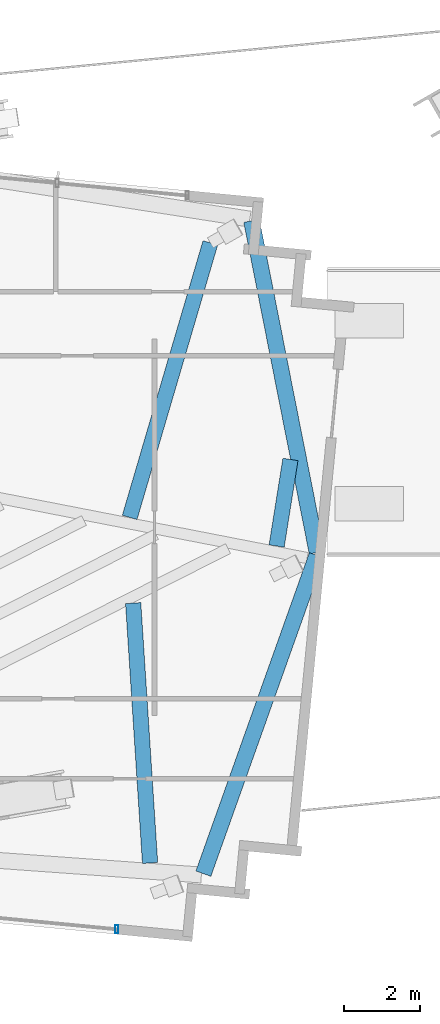
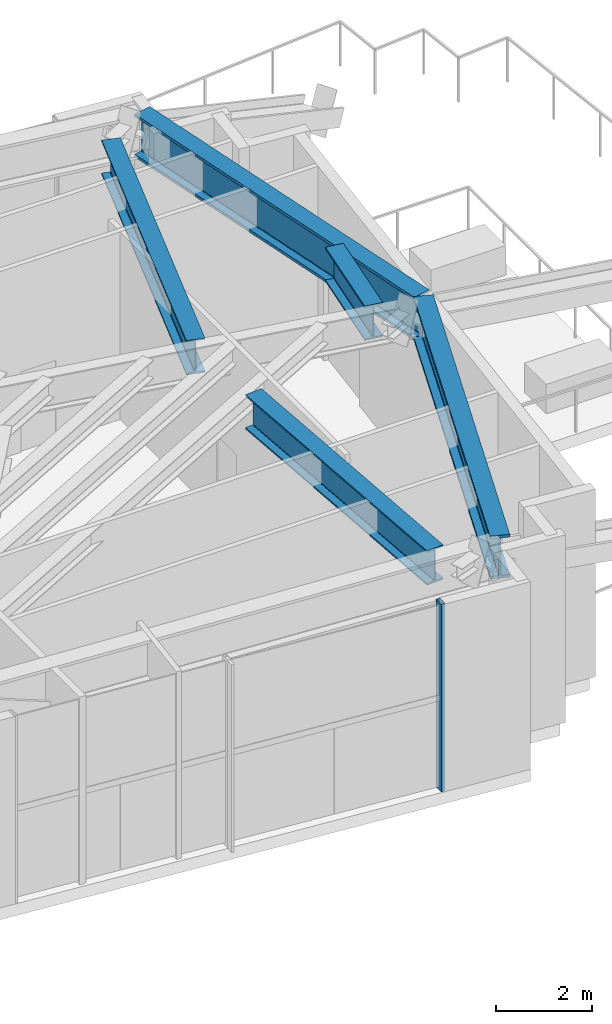
# One storey, part 12 of 23: 5 beams, 1 member, 1 element without a shape of its own.
"""IFC4 building model written with IfcOpenShell, lengths in metres."""

import ifcopenshell
import ifcopenshell.guid

model = None  # the IFC model being written
_history = None  # IfcOwnerHistory: only IFC2X3 demands one
_inside = {}  # id of a spatial element -> (the spatial element, [elements in it])
_under = {}  # id of a project, library or spatial element -> (it, [spatial elements below it])
_declared = {}  # id of a project -> (the project, [libraries it declares])
_typed = {}  # id of a type object -> (the type object, [elements of that type])
_made_of = {}  # id of a material, layer set ... -> (it, [elements and type objects made of it])


def new_model(schema):
    """Start an empty IFC model of exactly this schema.

    Asked for "IFC4X3", IfcOpenShell would pick the latest addendum, in which some entities
    have other attributes; the version numbers below select the first issue.
    IFC2X3 requires an IfcOwnerHistory on every rooted entity: one is made here for all.
    """
    global model, _history
    if schema == "IFC4X3":
        model = ifcopenshell.file(schema_version=(4, 3, 0, 0))
    else:
        model = ifcopenshell.file(schema=schema)
    _inside.clear()
    _under.clear()
    _declared.clear()
    _typed.clear()
    _made_of.clear()
    _history = None
    if model.schema == "IFC2X3":
        org = make("IfcOrganization", Name="unknown")
        user = make(
            "IfcPersonAndOrganization",
            ThePerson=make("IfcPerson", FamilyName="unknown"),
            TheOrganization=org,
        )
        app = make(
            "IfcApplication",
            ApplicationDeveloper=org,
            Version="unknown",
            ApplicationFullName="unknown",
            ApplicationIdentifier="unknown",
        )
        _history = make(
            "IfcOwnerHistory",
            OwningUser=user,
            OwningApplication=app,
            ChangeAction="ADDED",
            CreationDate=0,
        )
    return model


def make(cls, **values):
    """One entity of the class cls with the attributes given. An attribute that is None is left unset."""
    return model.create_entity(
        cls, **{name: value for name, value in values.items() if value is not None}
    )


def rooted(cls, **values):
    """An entity with a GlobalId (a new one), such as an element, a storey or a relation."""
    return make(cls, GlobalId=ifcopenshell.guid.new(), OwnerHistory=_history, **values)


def si_unit(unit_type, name, prefix=None):
    """IfcSIUnit, for example si_unit("LENGTHUNIT", "METRE", prefix="MILLI")."""
    return make("IfcSIUnit", UnitType=unit_type, Prefix=prefix, Name=name)


def assignment(units):
    """IfcUnitAssignment: the units of a project."""
    return None if units is None else make("IfcUnitAssignment", Units=units)


def point(xyz):
    """IfcCartesianPoint."""
    return None if xyz is None else make("IfcCartesianPoint", Coordinates=xyz)


def direction(xyz):
    """IfcDirection."""
    return None if xyz is None else make("IfcDirection", DirectionRatios=xyz)


def frame(location, z_axis=None, x_axis=None):
    """IfcAxis2Placement3D, a coordinate frame: its origin and axes. An axis left out is left unset."""
    return make(
        "IfcAxis2Placement3D",
        Location=point(location),
        Axis=direction(z_axis),
        RefDirection=direction(x_axis),
    )


def frame_2d(location, x_axis=None):
    """IfcAxis2Placement2D, a coordinate frame in the plane: its origin and x axis."""
    return make(
        "IfcAxis2Placement2D", Location=point(location), RefDirection=direction(x_axis)
    )


def origin():
    """The frame at (0, 0, 0) with its axes left unset."""
    return frame((0.0, 0.0, 0.0))


def origin_2d():
    """The frame at (0, 0) in the plane with its x axis left unset."""
    return frame_2d((0.0, 0.0))


def place(relative_to, where):
    """IfcLocalPlacement: puts the frame where relative to a parent placement (None: the world)."""
    return make(
        "IfcLocalPlacement", PlacementRelTo=relative_to, RelativePlacement=where
    )


def context(
    kind, dimensions, precision=None, world=None, true_north=None, identifier=None
):
    """IfcGeometricRepresentationContext, for example the 3D "Model" context."""
    return make(
        "IfcGeometricRepresentationContext",
        ContextIdentifier=identifier,
        ContextType=kind,
        CoordinateSpaceDimension=dimensions,
        Precision=precision,
        WorldCoordinateSystem=world,
        TrueNorth=true_north,
    )


def subcontext(parent, identifier, kind, view, scale=None):
    """IfcGeometricRepresentationSubContext, for example "Body" below "Model"."""
    return make(
        "IfcGeometricRepresentationSubContext",
        ContextIdentifier=identifier,
        ContextType=kind,
        ParentContext=parent,
        TargetScale=scale,
        TargetView=view,
    )


def project(units=None, contexts=None):
    """IfcProject with its units and contexts."""
    return rooted(
        "IfcProject",
        Name="project",
        RepresentationContexts=contexts,
        UnitsInContext=assignment(units),
    )


def spatial(cls, under=None, at=None, **own):
    """A site, building, storey or space (cls), placed at a placement, below another one or the project."""
    s = rooted(cls, ObjectPlacement=at, **own)
    if under is not None:
        _under.setdefault(under.id(), (under, []))[1].append(s)
    return s


def profile(cls, at=None, kind="AREA", **sizes):
    """A parametric profile (cls). Its sizes go by their IFC names, for example OverallWidth=200.0."""
    return make(cls, ProfileType=kind, Position=at, **sizes)


def hollow_rectangle(**sizes):
    """IfcRectangleHollowProfileDef."""
    return profile("IfcRectangleHollowProfileDef", **sizes)


def i_section(**sizes):
    """IfcIShapeProfileDef."""
    return profile("IfcIShapeProfileDef", **sizes)


def extrude(swept, where, along, depth):
    """IfcExtrudedAreaSolid: the profile swept, set in the frame where, extruded along a direction by depth."""
    return make(
        "IfcExtrudedAreaSolid",
        SweptArea=swept,
        Position=where,
        ExtrudedDirection=direction(along),
        Depth=depth,
    )


def shape(context_of_items, identifier, shape_type, items):
    """IfcShapeRepresentation: the items that make up one representation, for example the "Body"."""
    return make(
        "IfcShapeRepresentation",
        ContextOfItems=context_of_items,
        RepresentationIdentifier=identifier,
        RepresentationType=shape_type,
        Items=items,
    )


def source(mapping_origin, context_of_items, identifier, shape_type, items):
    """IfcRepresentationMap: a shape defined once, which mapped items show again and again."""
    return make(
        "IfcRepresentationMap",
        MappingOrigin=mapping_origin,
        MappedRepresentation=shape(context_of_items, identifier, shape_type, items),
    )


def transform(
    local_origin,
    x_axis=None,
    y_axis=None,
    z_axis=None,
    scale=None,
    scale2=None,
    scale3=None,
    uniform=True,
):
    """IfcCartesianTransformationOperator3D, or its non-uniform kind. x_axis, y_axis, z_axis: its Axis1, 2, 3."""
    if uniform:
        return make(
            "IfcCartesianTransformationOperator3D",
            Axis1=direction(x_axis),
            Axis2=direction(y_axis),
            LocalOrigin=point(local_origin),
            Scale=scale,
            Axis3=direction(z_axis),
        )
    return make(
        "IfcCartesianTransformationOperator3DnonUniform",
        Axis1=direction(x_axis),
        Axis2=direction(y_axis),
        LocalOrigin=point(local_origin),
        Scale=scale,
        Axis3=direction(z_axis),
        Scale2=scale2,
        Scale3=scale3,
    )


def mapped(mapping_source, mapping_target):
    """IfcMappedItem: shows the shape of a source again, moved by a transform."""
    return make(
        "IfcMappedItem", MappingSource=mapping_source, MappingTarget=mapping_target
    )


def material(Name=None, Category=None):
    """IfcMaterial."""
    return make("IfcMaterial", Name=Name, Category=Category)


def material_profile(
    of_material, cross_section, Name=None, Category=None, Priority=None
):
    """IfcMaterialProfile: a cross section and its material."""
    return make(
        "IfcMaterialProfile",
        Name=Name,
        Material=of_material,
        Profile=cross_section,
        Priority=Priority,
        Category=Category,
    )


def profile_set(profiles, Name=None, composite=None):
    """IfcMaterialProfileSet."""
    return make(
        "IfcMaterialProfileSet",
        Name=Name,
        MaterialProfiles=profiles,
        CompositeProfile=composite,
    )


def made_of(thing, what):
    """Note that an element or type object is made of a material, layer set ...; save() writes the relation."""
    if what is not None:
        _made_of.setdefault(what.id(), (what, []))[1].append(thing)
    return thing


def type_object(cls, material=None, **own):
    """A type object (cls), such as IfcWallType, which elements share."""
    return made_of(rooted(cls, **own), material)


def type_shapes(of_type, sources):
    """Give a type object the sources (RepresentationMaps) that its elements show as mapped items."""
    of_type.RepresentationMaps = sources


def element(
    cls,
    number,
    at=None,
    inside=None,
    cuts=None,
    type_object=None,
    material=None,
    context=None,
    identifier="Body",
    shape_type=None,
    held_by="IfcProductDefinitionShape",
    body=None,
    shapes=None,
    **own,
):
    """One element of the class cls, such as IfcWall. Its Tag is "e" and its number.

    at: its placement. inside: the storey or other place that contains it. cuts: it is an
    opening in that element (IfcRelVoidsElement). A single representation is given by context,
    identifier, shape_type and body (its items); several are given by shapes. held_by: the class
    of the entity that holds the representations. save() writes the other relations.
    """
    e = rooted(cls, Tag="e%d" % number, ObjectPlacement=at, **own)
    if body is not None:
        shapes = [shape(context, identifier, shape_type, body)]
    if shapes is not None:
        e.Representation = make(held_by, Representations=shapes)
    if inside is not None:
        _inside.setdefault(inside.id(), (inside, []))[1].append(e)
    if cuts is not None:
        rooted(
            "IfcRelVoidsElement", RelatingBuildingElement=cuts, RelatedOpeningElement=e
        )
    if type_object is not None:
        _typed.setdefault(type_object.id(), (type_object, []))[1].append(e)
    return made_of(e, material)


def aggregate(whole, parts):
    """IfcRelAggregates: a whole, such as a stair, and the parts it consists of."""
    return rooted("IfcRelAggregates", RelatingObject=whole, RelatedObjects=parts)


def save(model, path):
    """Write the relations noted so far, then the file.

    IfcRelAggregates (storeys below a building ...), IfcRelContainedInSpatialStructure (elements
    in a storey), IfcRelDefinesByType, IfcRelAssociatesMaterial and IfcRelDeclares: one each for
    every whole, place, type object, material and project.
    """
    for whole, parts in _under.values():
        aggregate(whole, parts)
    for where, things in _inside.values():
        rooted(
            "IfcRelContainedInSpatialStructure",
            RelatedElements=things,
            RelatingStructure=where,
        )
    for kind, things in _typed.values():
        rooted("IfcRelDefinesByType", RelatedObjects=things, RelatingType=kind)
    for what, things in _made_of.values():
        rooted("IfcRelAssociatesMaterial", RelatedObjects=things, RelatingMaterial=what)
    for by, libraries in _declared.values():
        rooted("IfcRelDeclares", RelatingContext=by, RelatedDefinitions=libraries)
    model.write(path)


model = new_model("IFC4")

# Units and contexts
model_context = context("Model", 3, precision=1e-05, world=origin(), true_north=direction((0.0, 1.0)))
body_context = subcontext(model_context, "Body", "Model", "MODEL_VIEW")
ifc_project = project(units=[si_unit("LENGTHUNIT", "METRE"), si_unit("AREAUNIT", "SQUARE_METRE"), si_unit("VOLUMEUNIT", "CUBIC_METRE"), si_unit("PLANEANGLEUNIT", "RADIAN"), si_unit("MASSUNIT", "GRAM", prefix="KILO")], contexts=[model_context])

# Site, building, storey
site_placement = place(None, origin())
site = spatial("IfcSite", under=ifc_project, at=site_placement, CompositionType="ELEMENT")
building_placement = place(site_placement, origin())
building = spatial("IfcBuilding", under=site, at=building_placement, Name="Astriad Promenade Condominiums", CompositionType="ELEMENT")
storey_placement = place(building_placement, frame((0.0, 0.0, 119.39990234375)))
storey = spatial("IfcBuildingStorey", under=building, at=storey_placement, Name="L34", CompositionType="ELEMENT", Elevation=119.39990234375)

# Beams
ifc_material_1 = material(Name="Steel ASTM A992 Grade 50", Category="steel")
ifc_material_profile_1 = material_profile(ifc_material_1, i_section(OverallWidth=0.4169921875, OverallDepth=1.093505859375, WebThickness=0.0390625, FlangeThickness=0.070068359375, FilletRadius=0.025390625, at=origin_2d()), Name="W40X503")
ifc_profile_set_1 = profile_set([ifc_material_profile_1], Name="Steel ASTM A992 Grade 50")
beam_type_1 = type_object("IfcBeamType", Name="STEEL TRANSFER GIRDER W40X503", PredefinedType="BEAM", material=ifc_profile_set_1)
shared_shape_1 = source(origin(), body_context, "Body", "SweptSolid", [
    extrude(i_section(OverallWidth=0.4169921875, OverallDepth=1.093505859375, WebThickness=0.0390625, FlangeThickness=0.070068359375, FilletRadius=0.025390625, at=origin_2d()), origin(), (0.0, 0.0, 1.0), 8.866455078125),
])
beam_1_placement = place(storey_placement, frame((56.34521484375, 6.495361328125, 4.2333984375), z_axis=(0.335762459154, 0.941946692241, 0.0), x_axis=(-0.941946692241, 0.335762459154, 0.0)))
element("IfcBeam", 1, at=beam_1_placement, inside=storey, type_object=beam_type_1, Name="Perimeter Spandrel Beam SP-E1-L34", PredefinedType="BEAM", context=body_context, shape_type="MappedRepresentation", body=[
    mapped(shared_shape_1, transform((0.0, 0.0, 0.0), scale=1.0)),
])
shared_shape_2 = source(origin(), body_context, "Body", "SweptSolid", [
    extrude(i_section(OverallWidth=0.4169921875, OverallDepth=1.093505859375, WebThickness=0.0390625, FlangeThickness=0.070068359375, FilletRadius=0.025390625, at=origin_2d()), origin(), (0.0, 0.0, 1.0), 8.868408203125),
])
type_shapes(beam_type_1, [shared_shape_1, shared_shape_2])
beam_2_placement = place(storey_placement, frame((59.327880859375, 14.924072265625, 4.2333984375), z_axis=(-0.193749128529, 0.98105110733, 0.0), x_axis=(-0.98105110733, -0.193749128529, 0.0)))
element("IfcBeam", 2, at=beam_2_placement, inside=storey, type_object=beam_type_1, Name="Perimeter Spandrel Beam SP-E2-L34", PredefinedType="BEAM", context=body_context, shape_type="MappedRepresentation", body=[
    mapped(shared_shape_2, transform((0.0, 0.0, 0.0), scale=1.0)),
])
ifc_material_profile_2 = material_profile(ifc_material_1, i_section(OverallWidth=0.4013671875, OverallDepth=0.877197265625, WebThickness=0.022216796875, FlangeThickness=0.039794921875, FilletRadius=0.02294921875, at=origin_2d()), Name="W33X263")
ifc_profile_set_2 = profile_set([ifc_material_profile_2], Name="Steel ASTM A992 Grade 50")
beam_type_2 = type_object("IfcBeamType", Name="STEEL TRANSFER CARRIER GIRDER W33X263", PredefinedType="BEAM", material=ifc_profile_set_2)
shared_shape_3 = source(origin(), body_context, "Body", "SweptSolid", [
    extrude(i_section(OverallWidth=0.4013671875, OverallDepth=0.877197265625, WebThickness=0.022216796875, FlangeThickness=0.039794921875, FilletRadius=0.02294921875, at=origin_2d()), origin(), (0.0, 0.0, 1.0), 6.83349609375),
])
beam_3_placement = place(storey_placement, frame((54.503173828125, 13.59521484375, 4.341552734375), z_axis=(0.064844798994, -0.99789536127, 0.0), x_axis=(0.99789536127, 0.064844798994, 0.0)))
element("IfcBeam", 3, at=beam_3_placement, inside=storey, type_object=beam_type_2, Name="Transfer Splice Carrier TRM-SP-PC05-L34", PredefinedType="BEAM", context=body_context, shape_type="MappedRepresentation", body=[
    mapped(shared_shape_3, transform((0.0, 0.0, 0.0), scale=1.0)),
])
shared_shape_4 = source(origin(), body_context, "Body", "SweptSolid", [
    extrude(i_section(OverallWidth=0.4013671875, OverallDepth=0.877197265625, WebThickness=0.022216796875, FlangeThickness=0.039794921875, FilletRadius=0.02294921875, at=origin_2d()), origin(), (0.0, 0.0, 1.0), 7.508544921875),
])
beam_4_placement = place(storey_placement, frame((54.410888671875, 15.843017578125, 4.341552734375), z_axis=(0.282000846394, 0.959414155948, 0.0), x_axis=(-0.959414155948, 0.282000846394, 0.0)))
element("IfcBeam", 4, at=beam_4_placement, inside=storey, type_object=beam_type_2, Name="Transfer Splice Carrier TRM-SP-PC10-L34", PredefinedType="BEAM", context=body_context, shape_type="MappedRepresentation", body=[
    mapped(shared_shape_4, transform((0.0, 0.0, 0.0), scale=1.0)),
])
shared_shape_5 = source(origin(), body_context, "Body", "SweptSolid", [
    extrude(i_section(OverallWidth=0.4013671875, OverallDepth=0.877197265625, WebThickness=0.022216796875, FlangeThickness=0.039794921875, FilletRadius=0.02294921875, at=origin_2d()), origin(), (0.0, 0.0, 1.0), 2.30078125),
])
type_shapes(beam_type_2, [shared_shape_3, shared_shape_4, shared_shape_5])
beam_5_placement = place(storey_placement, frame((58.6298828125, 17.364013671875, 4.341552734375), z_axis=(-0.157684238517, -0.987489585223, 0.0), x_axis=(0.987489585223, -0.157684238517, 0.0)))
element("IfcBeam", 5, at=beam_5_placement, inside=storey, type_object=beam_type_2, Name="Transfer Splice Carrier TRM-SP-PC12-L34", PredefinedType="BEAM", context=body_context, shape_type="MappedRepresentation", body=[
    mapped(shared_shape_5, transform((0.0, 0.0, 0.0), scale=1.0)),
])

# Curtain wall, member
ifc_material_2 = material(Name="Anodised aluminium Black Dark Glass Unitised", Category="aluminium")
curtain_wall_type = type_object("IfcCurtainWallType", Name="CW-B34-DARK", PredefinedType="USERDEFINED", material=ifc_material_2)
curtain_wall_placement = place(storey_placement, origin())
curtain_wall = element("IfcCurtainWall", 6, at=curtain_wall_placement, inside=storey, type_object=curtain_wall_type, Name="CW-L34-S-1", ObjectType="UNITISED_CURTAIN_WALL", PredefinedType="USERDEFINED")
ifc_material_3 = material(Name="Anodised aluminium 6063-T6 Black", Category="aluminium")
ifc_material_profile_3 = material_profile(ifc_material_3, hollow_rectangle(XDim=0.0849609375, YDim=0.219970703125, WallThickness=0.0048828125, at=origin_2d()), Name="ALU-MUL-85X220")
ifc_profile_set_3 = profile_set([ifc_material_profile_3], Name="Anodised aluminium 6063-T6 Black")
member_type = type_object("IfcMemberType", Name="MUL-ALU-MUL-85X220", PredefinedType="MULLION", material=ifc_profile_set_3)
shared_shape_6 = source(origin(), body_context, "Body", "SweptSolid", [
    extrude(hollow_rectangle(XDim=0.0849609375, YDim=0.219970703125, WallThickness=0.0048828125, at=origin_2d()), origin(), (0.0, 0.0, 1.0), 4.780029296875),
])
type_shapes(member_type, [shared_shape_6])
member_placement = place(storey_placement, frame((54.070556640625, 5.037109375, 0.0), z_axis=(0.0, 0.0, 1.0), x_axis=(1.0, 0.0, 0.0)))
member = element("IfcMember", 7, at=member_placement, type_object=member_type, Name="CW-L34-S-1-MUL-00", PredefinedType="MULLION", context=body_context, shape_type="MappedRepresentation", body=[
    mapped(shared_shape_6, transform((0.0, 0.0, 0.0), scale=1.0)),
])
aggregate(curtain_wall, [member])

save(model, "model.ifc")
